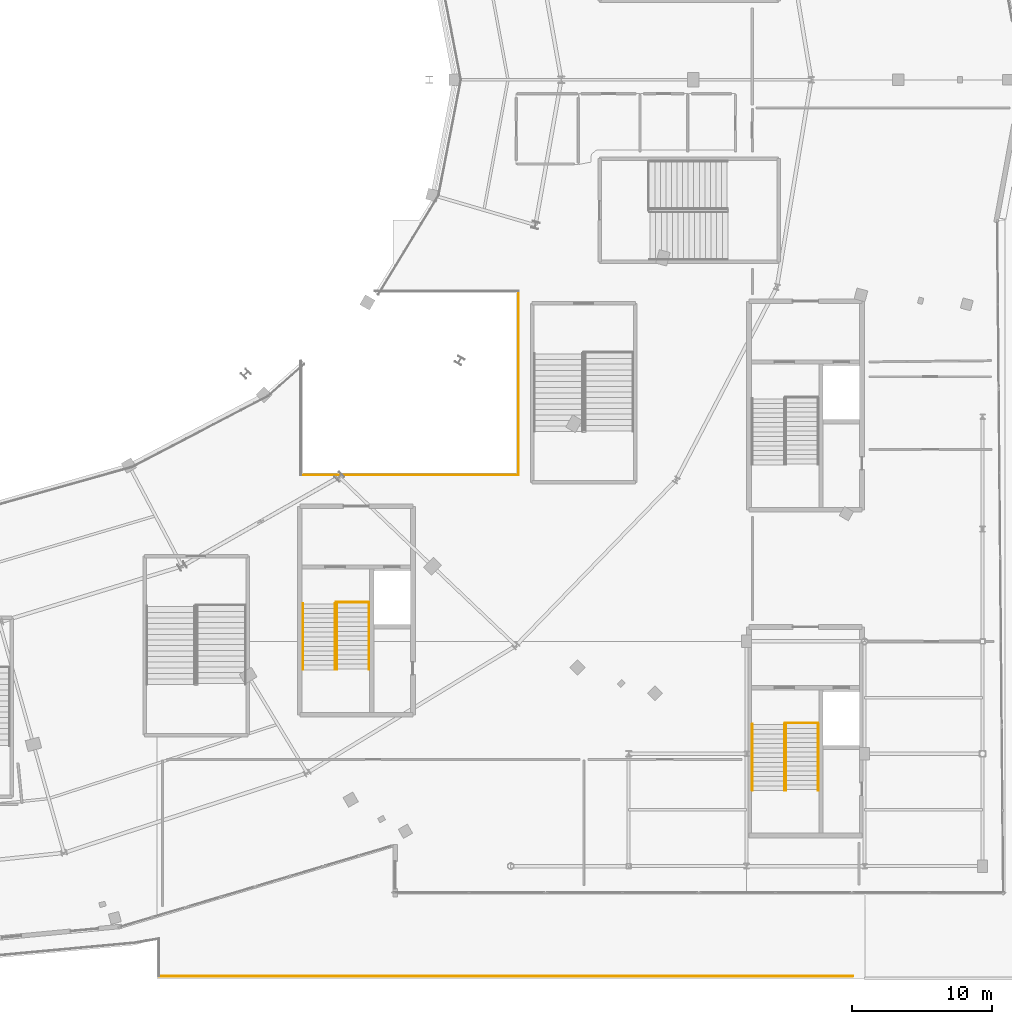
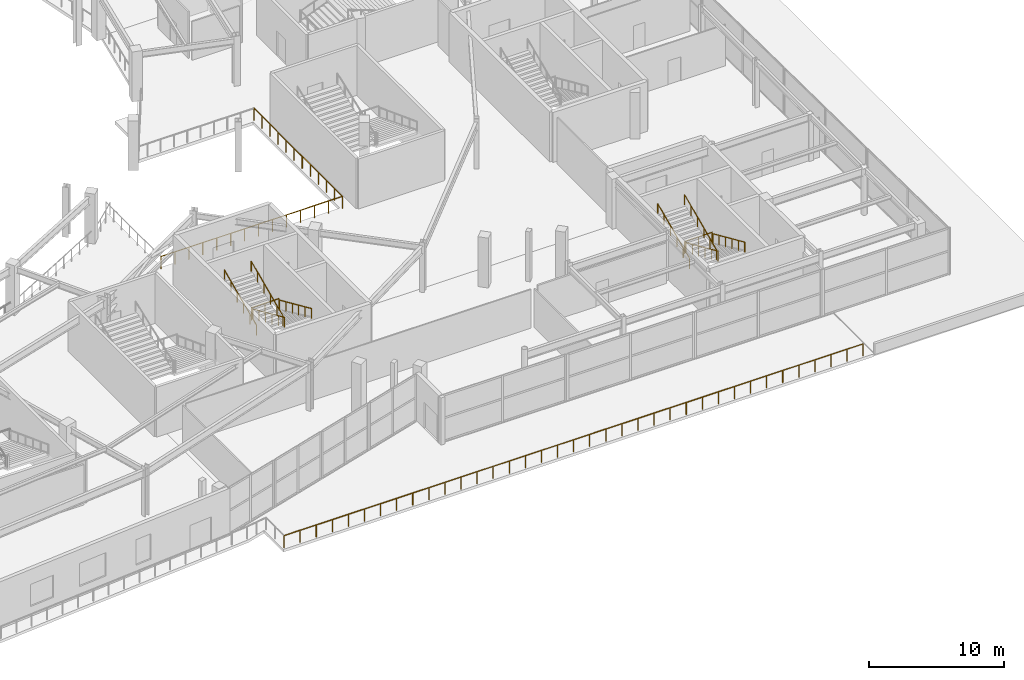
# One storey, part 103 of 107: 13 railings.
"""IFC4 building model written with IfcOpenShell, lengths in metres."""

import ifcopenshell
import ifcopenshell.guid

model = None  # the IFC model being written
_history = None  # IfcOwnerHistory: only IFC2X3 demands one
_inside = {}  # id of a spatial element -> (the spatial element, [elements in it])
_under = {}  # id of a project, library or spatial element -> (it, [spatial elements below it])
_declared = {}  # id of a project -> (the project, [libraries it declares])
_typed = {}  # id of a type object -> (the type object, [elements of that type])
_made_of = {}  # id of a material, layer set ... -> (it, [elements and type objects made of it])


def new_model(schema):
    """Start an empty IFC model of exactly this schema.

    Asked for "IFC4X3", IfcOpenShell would pick the latest addendum, in which some entities
    have other attributes; the version numbers below select the first issue.
    IFC2X3 requires an IfcOwnerHistory on every rooted entity: one is made here for all.
    """
    global model, _history
    if schema == "IFC4X3":
        model = ifcopenshell.file(schema_version=(4, 3, 0, 0))
    else:
        model = ifcopenshell.file(schema=schema)
    _inside.clear()
    _under.clear()
    _declared.clear()
    _typed.clear()
    _made_of.clear()
    _history = None
    if model.schema == "IFC2X3":
        org = make("IfcOrganization", Name="unknown")
        user = make(
            "IfcPersonAndOrganization",
            ThePerson=make("IfcPerson", FamilyName="unknown"),
            TheOrganization=org,
        )
        app = make(
            "IfcApplication",
            ApplicationDeveloper=org,
            Version="unknown",
            ApplicationFullName="unknown",
            ApplicationIdentifier="unknown",
        )
        _history = make(
            "IfcOwnerHistory",
            OwningUser=user,
            OwningApplication=app,
            ChangeAction="ADDED",
            CreationDate=0,
        )
    return model


def make(cls, **values):
    """One entity of the class cls with the attributes given. An attribute that is None is left unset."""
    return model.create_entity(
        cls, **{name: value for name, value in values.items() if value is not None}
    )


def rooted(cls, **values):
    """An entity with a GlobalId (a new one), such as an element, a storey or a relation."""
    return make(cls, GlobalId=ifcopenshell.guid.new(), OwnerHistory=_history, **values)


def si_unit(unit_type, name, prefix=None):
    """IfcSIUnit, for example si_unit("LENGTHUNIT", "METRE", prefix="MILLI")."""
    return make("IfcSIUnit", UnitType=unit_type, Prefix=prefix, Name=name)


def assignment(units):
    """IfcUnitAssignment: the units of a project."""
    return None if units is None else make("IfcUnitAssignment", Units=units)


def point(xyz):
    """IfcCartesianPoint."""
    return None if xyz is None else make("IfcCartesianPoint", Coordinates=xyz)


def direction(xyz):
    """IfcDirection."""
    return None if xyz is None else make("IfcDirection", DirectionRatios=xyz)


def frame(location, z_axis=None, x_axis=None):
    """IfcAxis2Placement3D, a coordinate frame: its origin and axes. An axis left out is left unset."""
    return make(
        "IfcAxis2Placement3D",
        Location=point(location),
        Axis=direction(z_axis),
        RefDirection=direction(x_axis),
    )


def frame_2d(location, x_axis=None):
    """IfcAxis2Placement2D, a coordinate frame in the plane: its origin and x axis."""
    return make(
        "IfcAxis2Placement2D", Location=point(location), RefDirection=direction(x_axis)
    )


def origin():
    """The frame at (0, 0, 0) with its axes left unset."""
    return frame((0.0, 0.0, 0.0))


def origin_2d():
    """The frame at (0, 0) in the plane with its x axis left unset."""
    return frame_2d((0.0, 0.0))


def place(relative_to, where):
    """IfcLocalPlacement: puts the frame where relative to a parent placement (None: the world)."""
    return make(
        "IfcLocalPlacement", PlacementRelTo=relative_to, RelativePlacement=where
    )


def context(
    kind, dimensions, precision=None, world=None, true_north=None, identifier=None
):
    """IfcGeometricRepresentationContext, for example the 3D "Model" context."""
    return make(
        "IfcGeometricRepresentationContext",
        ContextIdentifier=identifier,
        ContextType=kind,
        CoordinateSpaceDimension=dimensions,
        Precision=precision,
        WorldCoordinateSystem=world,
        TrueNorth=true_north,
    )


def subcontext(parent, identifier, kind, view, scale=None):
    """IfcGeometricRepresentationSubContext, for example "Body" below "Model"."""
    return make(
        "IfcGeometricRepresentationSubContext",
        ContextIdentifier=identifier,
        ContextType=kind,
        ParentContext=parent,
        TargetScale=scale,
        TargetView=view,
    )


def project(units=None, contexts=None):
    """IfcProject with its units and contexts."""
    return rooted(
        "IfcProject",
        Name="project",
        RepresentationContexts=contexts,
        UnitsInContext=assignment(units),
    )


def spatial(cls, under=None, at=None, **own):
    """A site, building, storey or space (cls), placed at a placement, below another one or the project."""
    s = rooted(cls, ObjectPlacement=at, **own)
    if under is not None:
        _under.setdefault(under.id(), (under, []))[1].append(s)
    return s


def profile(cls, at=None, kind="AREA", **sizes):
    """A parametric profile (cls). Its sizes go by their IFC names, for example OverallWidth=200.0."""
    return make(cls, ProfileType=kind, Position=at, **sizes)


def circle(**sizes):
    """IfcCircleProfileDef."""
    return profile("IfcCircleProfileDef", **sizes)


def extrude(swept, where, along, depth):
    """IfcExtrudedAreaSolid: the profile swept, set in the frame where, extruded along a direction by depth."""
    return make(
        "IfcExtrudedAreaSolid",
        SweptArea=swept,
        Position=where,
        ExtrudedDirection=direction(along),
        Depth=depth,
    )


def shape(context_of_items, identifier, shape_type, items):
    """IfcShapeRepresentation: the items that make up one representation, for example the "Body"."""
    return make(
        "IfcShapeRepresentation",
        ContextOfItems=context_of_items,
        RepresentationIdentifier=identifier,
        RepresentationType=shape_type,
        Items=items,
    )


def material(Name=None, Category=None):
    """IfcMaterial."""
    return make("IfcMaterial", Name=Name, Category=Category)


def made_of(thing, what):
    """Note that an element or type object is made of a material, layer set ...; save() writes the relation."""
    if what is not None:
        _made_of.setdefault(what.id(), (what, []))[1].append(thing)
    return thing


def type_object(cls, material=None, **own):
    """A type object (cls), such as IfcWallType, which elements share."""
    return made_of(rooted(cls, **own), material)


def element(
    cls,
    number,
    at=None,
    inside=None,
    cuts=None,
    type_object=None,
    material=None,
    context=None,
    identifier="Body",
    shape_type=None,
    held_by="IfcProductDefinitionShape",
    body=None,
    shapes=None,
    **own,
):
    """One element of the class cls, such as IfcWall. Its Tag is "e" and its number.

    at: its placement. inside: the storey or other place that contains it. cuts: it is an
    opening in that element (IfcRelVoidsElement). A single representation is given by context,
    identifier, shape_type and body (its items); several are given by shapes. held_by: the class
    of the entity that holds the representations. save() writes the other relations.
    """
    e = rooted(cls, Tag="e%d" % number, ObjectPlacement=at, **own)
    if body is not None:
        shapes = [shape(context, identifier, shape_type, body)]
    if shapes is not None:
        e.Representation = make(held_by, Representations=shapes)
    if inside is not None:
        _inside.setdefault(inside.id(), (inside, []))[1].append(e)
    if cuts is not None:
        rooted(
            "IfcRelVoidsElement", RelatingBuildingElement=cuts, RelatedOpeningElement=e
        )
    if type_object is not None:
        _typed.setdefault(type_object.id(), (type_object, []))[1].append(e)
    return made_of(e, material)


def aggregate(whole, parts):
    """IfcRelAggregates: a whole, such as a stair, and the parts it consists of."""
    return rooted("IfcRelAggregates", RelatingObject=whole, RelatedObjects=parts)


def save(model, path):
    """Write the relations noted so far, then the file.

    IfcRelAggregates (storeys below a building ...), IfcRelContainedInSpatialStructure (elements
    in a storey), IfcRelDefinesByType, IfcRelAssociatesMaterial and IfcRelDeclares: one each for
    every whole, place, type object, material and project.
    """
    for whole, parts in _under.values():
        aggregate(whole, parts)
    for where, things in _inside.values():
        rooted(
            "IfcRelContainedInSpatialStructure",
            RelatedElements=things,
            RelatingStructure=where,
        )
    for kind, things in _typed.values():
        rooted("IfcRelDefinesByType", RelatedObjects=things, RelatingType=kind)
    for what, things in _made_of.values():
        rooted("IfcRelAssociatesMaterial", RelatedObjects=things, RelatingMaterial=what)
    for by, libraries in _declared.values():
        rooted("IfcRelDeclares", RelatingContext=by, RelatedDefinitions=libraries)
    model.write(path)


model = new_model("IFC4")

# Units and contexts
model_context = context("Model", 3, precision=1e-05, world=origin(), true_north=direction((0.0, 1.0)))
body_context = subcontext(model_context, "Body", "Model", "MODEL_VIEW")
ifc_project = project(units=[si_unit("LENGTHUNIT", "METRE"), si_unit("AREAUNIT", "SQUARE_METRE"), si_unit("VOLUMEUNIT", "CUBIC_METRE"), si_unit("PLANEANGLEUNIT", "RADIAN"), si_unit("MASSUNIT", "GRAM", prefix="KILO")], contexts=[model_context])

# Site, building, storey
site_placement = place(None, origin())
site = spatial("IfcSite", under=ifc_project, at=site_placement, CompositionType="ELEMENT")
building_placement = place(site_placement, origin())
building = spatial("IfcBuilding", under=site, at=building_placement, Name="Kalgoora Escarpment Arena", CompositionType="ELEMENT")
storey_placement = place(building_placement, frame((0.0, 0.0, 5.39990234375)))
storey = spatial("IfcBuildingStorey", under=building, at=storey_placement, Name="L01", CompositionType="ELEMENT", Elevation=5.39990234375)

# Railings
ifc_material_1 = material(Name="Galvanised & powdercoated tubular steel", Category="steel")
railing_type_1 = type_object("IfcRailingType", Name="RAL-GUARD-1120", PredefinedType="GUARDRAIL", material=ifc_material_1)
for number, where, name in (
    (1, (132.68994140625, 26.7900390625, 0.0), "ST06 L01 floor landing well guard"),
    (2, (164.68994140625, 18.18994140625, 0.0), "ST08 L01 floor landing well guard"),
):
    element("IfcRailing", number, at=place(storey_placement, frame(where)), inside=storey, type_object=railing_type_1, Name=name, PredefinedType="GUARDRAIL", context=body_context, shape_type="SweptSolid", body=[
        extrude(circle(Radius=0.02392578125, at=origin_2d()), frame((0.0, 0.0, 1.09619140625), z_axis=(-1.0, 0.0, 0.0), x_axis=(0.0, -1.0, 0.0)), (0.0, 0.0, 1.0), 2.33984375),
        extrude(circle(Radius=0.02099609375, at=origin_2d()), origin(), (0.0, 0.0, 1.0), 1.072021484375),
        extrude(circle(Radius=0.02099609375, at=origin_2d()), frame((-1.169921875, 0.0, 0.0)), (0.0, 0.0, 1.0), 1.072021484375),
        extrude(circle(Radius=0.02099609375, at=origin_2d()), frame((-2.33984375, 0.0, 0.0)), (0.0, 0.0, 1.0), 1.072021484375),
    ])
railing_1_placement = place(storey_placement, frame((127.85009765625, 35.85009765625, 0.0)))
element("IfcRailing", 3, at=railing_1_placement, inside=storey, type_object=railing_type_1, Name="L01 practice court void balustrade S", PredefinedType="GUARDRAIL", context=body_context, shape_type="SweptSolid", body=[
    extrude(circle(Radius=0.02392578125, at=origin_2d()), frame((0.0, 0.0, 1.09619140625), z_axis=(1.0, 0.0, 0.0), x_axis=(0.0, 1.0, 0.0)), (0.0, 0.0, 1.0), 15.5),
    extrude(circle(Radius=0.02099609375, at=origin_2d()), origin(), (0.0, 0.0, 1.0), 1.072021484375),
    extrude(circle(Radius=0.02099609375, at=origin_2d()), frame((1.1923828125, 0.0, 0.0)), (0.0, 0.0, 1.0), 1.072021484375),
    extrude(circle(Radius=0.02099609375, at=origin_2d()), frame((2.384521484375, 0.0, 0.0)), (0.0, 0.0, 1.0), 1.072021484375),
    extrude(circle(Radius=0.02099609375, at=origin_2d()), frame((3.576904296875, 0.0, 0.0)), (0.0, 0.0, 1.0), 1.072021484375),
    extrude(circle(Radius=0.02099609375, at=origin_2d()), frame((4.769287109375, 0.0, 0.0)), (0.0, 0.0, 1.0), 1.072021484375),
    extrude(circle(Radius=0.02099609375, at=origin_2d()), frame((5.96142578125, 0.0, 0.0)), (0.0, 0.0, 1.0), 1.072021484375),
    extrude(circle(Radius=0.02099609375, at=origin_2d()), frame((7.15380859375, 0.0, 0.0)), (0.0, 0.0, 1.0), 1.072021484375),
    extrude(circle(Radius=0.02099609375, at=origin_2d()), frame((8.34619140625, 0.0, 0.0)), (0.0, 0.0, 1.0), 1.072021484375),
    extrude(circle(Radius=0.02099609375, at=origin_2d()), frame((9.53857421875, 0.0, 0.0)), (0.0, 0.0, 1.0), 1.072021484375),
    extrude(circle(Radius=0.02099609375, at=origin_2d()), frame((10.730712890625, 0.0, 0.0)), (0.0, 0.0, 1.0), 1.072021484375),
    extrude(circle(Radius=0.02099609375, at=origin_2d()), frame((11.923095703125, 0.0, 0.0)), (0.0, 0.0, 1.0), 1.072021484375),
    extrude(circle(Radius=0.02099609375, at=origin_2d()), frame((13.115478515625, 0.0, 0.0)), (0.0, 0.0, 1.0), 1.072021484375),
    extrude(circle(Radius=0.02099609375, at=origin_2d()), frame((14.3076171875, 0.0, 0.0)), (0.0, 0.0, 1.0), 1.072021484375),
    extrude(circle(Radius=0.02099609375, at=origin_2d()), frame((15.5, 0.0, 0.0)), (0.0, 0.0, 1.0), 1.072021484375),
])
railing_2_placement = place(storey_placement, frame((143.35009765625, 35.85009765625, 0.0)))
element("IfcRailing", 4, at=railing_2_placement, inside=storey, type_object=railing_type_1, Name="L01 practice court void balustrade E", PredefinedType="GUARDRAIL", context=body_context, shape_type="SweptSolid", body=[
    extrude(circle(Radius=0.02392578125, at=origin_2d()), frame((0.0, 0.0, 1.09619140625), z_axis=(0.0, 1.0, 0.0), x_axis=(-1.0, 0.0, 0.0)), (0.0, 0.0, 1.0), 13.099853515625),
    extrude(circle(Radius=0.02099609375, at=origin_2d()), origin(), (0.0, 0.0, 1.0), 1.072021484375),
    extrude(circle(Radius=0.02099609375, at=origin_2d()), frame((0.0, 1.19091796875, 0.0)), (0.0, 0.0, 1.0), 1.072021484375),
    extrude(circle(Radius=0.02099609375, at=origin_2d()), frame((0.0, 2.3818359375, 0.0)), (0.0, 0.0, 1.0), 1.072021484375),
    extrude(circle(Radius=0.02099609375, at=origin_2d()), frame((0.0, 3.57275390625, 0.0)), (0.0, 0.0, 1.0), 1.072021484375),
    extrude(circle(Radius=0.02099609375, at=origin_2d()), frame((0.0, 4.763671875, 0.0)), (0.0, 0.0, 1.0), 1.072021484375),
    extrude(circle(Radius=0.02099609375, at=origin_2d()), frame((0.0, 5.95458984375, 0.0)), (0.0, 0.0, 1.0), 1.072021484375),
    extrude(circle(Radius=0.02099609375, at=origin_2d()), frame((0.0, 7.145263671875, 0.0)), (0.0, 0.0, 1.0), 1.072021484375),
    extrude(circle(Radius=0.02099609375, at=origin_2d()), frame((0.0, 8.336181640625, 0.0)), (0.0, 0.0, 1.0), 1.072021484375),
    extrude(circle(Radius=0.02099609375, at=origin_2d()), frame((0.0, 9.527099609375, 0.0)), (0.0, 0.0, 1.0), 1.072021484375),
    extrude(circle(Radius=0.02099609375, at=origin_2d()), frame((0.0, 10.718017578125, 0.0)), (0.0, 0.0, 1.0), 1.072021484375),
    extrude(circle(Radius=0.02099609375, at=origin_2d()), frame((0.0, 11.908935546875, 0.0)), (0.0, 0.0, 1.0), 1.072021484375),
    extrude(circle(Radius=0.02099609375, at=origin_2d()), frame((0.0, 13.099853515625, 0.0)), (0.0, 0.0, 1.0), 1.072021484375),
])
ifc_material_2 = material(Name="Brushed stainless steel 316 handrail", Category="steel")
railing_type_2 = type_object("IfcRailingType", Name="RAL-HAND-920", PredefinedType="HANDRAIL", material=ifc_material_2)
for number, where, name in (
    (5, (132.699951171875, 26.7099609375, 0.110107421875), "ST06 L01 pitched stair handrail F1L"),
    (6, (130.4150390625, 26.7099609375, 0.110107421875), "ST06 L01 pitched stair handrail F1R"),
):
    element("IfcRailing", number, at=place(storey_placement, frame(where)), inside=storey, type_object=railing_type_2, Name=name, PredefinedType="HANDRAIL", context=body_context, shape_type="SweptSolid", body=[
        extrude(circle(Radius=0.02392578125, at=origin_2d()), frame((0.0, 0.0, 0.89599609375), z_axis=(0.0, -0.913643874524, 0.406515523129), x_axis=(1.0, 0.0, 0.0)), (0.0, 0.0, 1.0), 5.166015625),
        extrude(circle(Radius=0.02099609375, at=origin_2d()), origin(), (0.0, 0.0, 1.0), 0.871826171875),
        extrude(circle(Radius=0.02099609375, at=origin_2d()), frame((0.0, -0.944091796875, 0.419921875)), (0.0, 0.0, 1.0), 0.871826171875),
        extrude(circle(Radius=0.02099609375, at=origin_2d()), frame((0.0, -1.887939453125, 0.840087890625)), (0.0, 0.0, 1.0), 0.871826171875),
        extrude(circle(Radius=0.02099609375, at=origin_2d()), frame((0.0, -2.83203125, 1.260009765625)), (0.0, 0.0, 1.0), 0.871826171875),
        extrude(circle(Radius=0.02099609375, at=origin_2d()), frame((0.0, -3.77587890625, 1.68017578125)), (0.0, 0.0, 1.0), 0.871826171875),
        extrude(circle(Radius=0.02099609375, at=origin_2d()), frame((0.0, -4.719970703125, 2.10009765625)), (0.0, 0.0, 1.0), 0.871826171875),
    ])
for number, where, name in (
    (7, (130.284912109375, 21.989990234375, 2.360107421875), "ST06 L01 pitched stair handrail F2L"),
    (8, (128.0, 21.989990234375, 2.360107421875), "ST06 L01 pitched stair handrail F2R"),
):
    element("IfcRailing", number, at=place(storey_placement, frame(where)), inside=storey, type_object=railing_type_2, Name=name, PredefinedType="HANDRAIL", context=body_context, shape_type="SweptSolid", body=[
        extrude(circle(Radius=0.02392578125, at=origin_2d()), frame((0.0, 0.0, 0.89599609375), z_axis=(0.0, 0.913643874524, 0.406515523129), x_axis=(-1.0, 0.0, 0.0)), (0.0, 0.0, 1.0), 5.166015625),
        extrude(circle(Radius=0.02099609375, at=origin_2d()), origin(), (0.0, 0.0, 1.0), 0.871826171875),
        extrude(circle(Radius=0.02099609375, at=origin_2d()), frame((0.0, 0.944091796875, 0.419921875)), (0.0, 0.0, 1.0), 0.871826171875),
        extrude(circle(Radius=0.02099609375, at=origin_2d()), frame((0.0, 1.887939453125, 0.840087890625)), (0.0, 0.0, 1.0), 0.871826171875),
        extrude(circle(Radius=0.02099609375, at=origin_2d()), frame((0.0, 2.83203125, 1.260009765625)), (0.0, 0.0, 1.0), 0.871826171875),
        extrude(circle(Radius=0.02099609375, at=origin_2d()), frame((0.0, 3.77587890625, 1.68017578125)), (0.0, 0.0, 1.0), 0.871826171875),
        extrude(circle(Radius=0.02099609375, at=origin_2d()), frame((0.0, 4.719970703125, 2.10009765625)), (0.0, 0.0, 1.0), 0.871826171875),
    ])
for number, where, name in (
    (9, (164.699951171875, 18.110107421875, 0.110107421875), "ST08 L01 pitched stair handrail F1L"),
    (10, (162.405029296875, 18.110107421875, 0.110107421875), "ST08 L01 pitched stair handrail F1R"),
):
    element("IfcRailing", number, at=place(storey_placement, frame(where)), inside=storey, type_object=railing_type_2, Name=name, PredefinedType="HANDRAIL", context=body_context, shape_type="SweptSolid", body=[
        extrude(circle(Radius=0.02392578125, at=origin_2d()), frame((0.0, 0.0, 0.89599609375), z_axis=(0.0, -0.913651683675, 0.406497971603), x_axis=(1.0, 0.0, 0.0)), (0.0, 0.0, 1.0), 5.166259765625),
        extrude(circle(Radius=0.02099609375, at=origin_2d()), origin(), (0.0, 0.0, 1.0), 0.871826171875),
        extrude(circle(Radius=0.02099609375, at=origin_2d()), frame((0.0, -0.944091796875, 0.419921875)), (0.0, 0.0, 1.0), 0.871826171875),
        extrude(circle(Radius=0.02099609375, at=origin_2d()), frame((0.0, -1.88818359375, 0.840087890625)), (0.0, 0.0, 1.0), 0.871826171875),
        extrude(circle(Radius=0.02099609375, at=origin_2d()), frame((0.0, -2.83203125, 1.260009765625)), (0.0, 0.0, 1.0), 0.871826171875),
        extrude(circle(Radius=0.02099609375, at=origin_2d()), frame((0.0, -3.776123046875, 1.68017578125)), (0.0, 0.0, 1.0), 0.871826171875),
        extrude(circle(Radius=0.02099609375, at=origin_2d()), frame((0.0, -4.72021484375, 2.10009765625)), (0.0, 0.0, 1.0), 0.871826171875),
    ])
for number, where, name in (
    (11, (162.294921875, 13.389892578125, 2.360107421875), "ST08 L01 pitched stair handrail F2L"),
    (12, (160.0, 13.389892578125, 2.360107421875), "ST08 L01 pitched stair handrail F2R"),
):
    element("IfcRailing", number, at=place(storey_placement, frame(where)), inside=storey, type_object=railing_type_2, Name=name, PredefinedType="HANDRAIL", context=body_context, shape_type="SweptSolid", body=[
        extrude(circle(Radius=0.02392578125, at=origin_2d()), frame((0.0, 0.0, 0.89599609375), z_axis=(0.0, 0.913651683675, 0.406497971603), x_axis=(-1.0, 0.0, 0.0)), (0.0, 0.0, 1.0), 5.166259765625),
        extrude(circle(Radius=0.02099609375, at=origin_2d()), origin(), (0.0, 0.0, 1.0), 0.871826171875),
        extrude(circle(Radius=0.02099609375, at=origin_2d()), frame((0.0, 0.944091796875, 0.419921875)), (0.0, 0.0, 1.0), 0.871826171875),
        extrude(circle(Radius=0.02099609375, at=origin_2d()), frame((0.0, 1.88818359375, 0.840087890625)), (0.0, 0.0, 1.0), 0.871826171875),
        extrude(circle(Radius=0.02099609375, at=origin_2d()), frame((0.0, 2.83203125, 1.260009765625)), (0.0, 0.0, 1.0), 0.871826171875),
        extrude(circle(Radius=0.02099609375, at=origin_2d()), frame((0.0, 3.776123046875, 1.68017578125)), (0.0, 0.0, 1.0), 0.871826171875),
        extrude(circle(Radius=0.02099609375, at=origin_2d()), frame((0.0, 4.72021484375, 2.10009765625)), (0.0, 0.0, 1.0), 0.871826171875),
    ])
ifc_material_3 = material(Name="Champagne anodised aluminium & laminated glass", Category="aluminium")
railing_type_3 = type_object("IfcRailingType", Name="RAL-TERR-1100", PredefinedType="GUARDRAIL", material=ifc_material_3)
railing_3_placement = place(storey_placement, frame((167.16259765625, 0.159912109375, 0.0)))
element("IfcRailing", 13, at=railing_3_placement, inside=storey, type_object=railing_type_3, Name="Lower Planted Elliptical Garden Promenade perimeter guardrail 006", PredefinedType="GUARDRAIL", context=body_context, shape_type="SweptSolid", body=[
    extrude(circle(Radius=0.02392578125, at=origin_2d()), frame((0.0, 0.0, 1.09619140625), z_axis=(-1.0, 0.0, 0.0), x_axis=(0.0, -1.0, 0.0)), (0.0, 0.0, 1.0), 49.402587890625),
    extrude(circle(Radius=0.02099609375, at=origin_2d()), origin(), (0.0, 0.0, 1.0), 1.072021484375),
    extrude(circle(Radius=0.02099609375, at=origin_2d()), frame((-1.372314453125, 0.0, 0.0)), (0.0, 0.0, 1.0), 1.072021484375),
    extrude(circle(Radius=0.02099609375, at=origin_2d()), frame((-2.74462890625, 0.0, 0.0)), (0.0, 0.0, 1.0), 1.072021484375),
    extrude(circle(Radius=0.02099609375, at=origin_2d()), frame((-4.116943359375, 0.0, 0.0)), (0.0, 0.0, 1.0), 1.072021484375),
    extrude(circle(Radius=0.02099609375, at=origin_2d()), frame((-5.4892578125, 0.0, 0.0)), (0.0, 0.0, 1.0), 1.072021484375),
    extrude(circle(Radius=0.02099609375, at=origin_2d()), frame((-6.861572265625, 0.0, 0.0)), (0.0, 0.0, 1.0), 1.072021484375),
    extrude(circle(Radius=0.02099609375, at=origin_2d()), frame((-8.23388671875, 0.0, 0.0)), (0.0, 0.0, 1.0), 1.072021484375),
    extrude(circle(Radius=0.02099609375, at=origin_2d()), frame((-9.60595703125, 0.0, 0.0)), (0.0, 0.0, 1.0), 1.072021484375),
    extrude(circle(Radius=0.02099609375, at=origin_2d()), frame((-10.978271484375, 0.0, 0.0)), (0.0, 0.0, 1.0), 1.072021484375),
    extrude(circle(Radius=0.02099609375, at=origin_2d()), frame((-12.3505859375, 0.0, 0.0)), (0.0, 0.0, 1.0), 1.072021484375),
    extrude(circle(Radius=0.02099609375, at=origin_2d()), frame((-13.722900390625, 0.0, 0.0)), (0.0, 0.0, 1.0), 1.072021484375),
    extrude(circle(Radius=0.02099609375, at=origin_2d()), frame((-15.09521484375, 0.0, 0.0)), (0.0, 0.0, 1.0), 1.072021484375),
    extrude(circle(Radius=0.02099609375, at=origin_2d()), frame((-16.467529296875, 0.0, 0.0)), (0.0, 0.0, 1.0), 1.072021484375),
    extrude(circle(Radius=0.02099609375, at=origin_2d()), frame((-17.83984375, 0.0, 0.0)), (0.0, 0.0, 1.0), 1.072021484375),
    extrude(circle(Radius=0.02099609375, at=origin_2d()), frame((-19.212158203125, 0.0, 0.0)), (0.0, 0.0, 1.0), 1.072021484375),
    extrude(circle(Radius=0.02099609375, at=origin_2d()), frame((-20.58447265625, 0.0, 0.0)), (0.0, 0.0, 1.0), 1.072021484375),
    extrude(circle(Radius=0.02099609375, at=origin_2d()), frame((-21.956787109375, 0.0, 0.0)), (0.0, 0.0, 1.0), 1.072021484375),
    extrude(circle(Radius=0.02099609375, at=origin_2d()), frame((-23.3291015625, 0.0, 0.0)), (0.0, 0.0, 1.0), 1.072021484375),
    extrude(circle(Radius=0.02099609375, at=origin_2d()), frame((-24.701171875, 0.0, 0.0)), (0.0, 0.0, 1.0), 1.072021484375),
    extrude(circle(Radius=0.02099609375, at=origin_2d()), frame((-26.073486328125, 0.0, 0.0)), (0.0, 0.0, 1.0), 1.072021484375),
    extrude(circle(Radius=0.02099609375, at=origin_2d()), frame((-27.44580078125, 0.0, 0.0)), (0.0, 0.0, 1.0), 1.072021484375),
    extrude(circle(Radius=0.02099609375, at=origin_2d()), frame((-28.818115234375, 0.0, 0.0)), (0.0, 0.0, 1.0), 1.072021484375),
    extrude(circle(Radius=0.02099609375, at=origin_2d()), frame((-30.1904296875, 0.0, 0.0)), (0.0, 0.0, 1.0), 1.072021484375),
    extrude(circle(Radius=0.02099609375, at=origin_2d()), frame((-31.562744140625, 0.0, 0.0)), (0.0, 0.0, 1.0), 1.072021484375),
    extrude(circle(Radius=0.02099609375, at=origin_2d()), frame((-32.93505859375, 0.0, 0.0)), (0.0, 0.0, 1.0), 1.072021484375),
    extrude(circle(Radius=0.02099609375, at=origin_2d()), frame((-34.307373046875, 0.0, 0.0)), (0.0, 0.0, 1.0), 1.072021484375),
    extrude(circle(Radius=0.02099609375, at=origin_2d()), frame((-35.6796875, 0.0, 0.0)), (0.0, 0.0, 1.0), 1.072021484375),
    extrude(circle(Radius=0.02099609375, at=origin_2d()), frame((-37.052001953125, 0.0, 0.0)), (0.0, 0.0, 1.0), 1.072021484375),
    extrude(circle(Radius=0.02099609375, at=origin_2d()), frame((-38.42431640625, 0.0, 0.0)), (0.0, 0.0, 1.0), 1.072021484375),
    extrude(circle(Radius=0.02099609375, at=origin_2d()), frame((-39.796630859375, 0.0, 0.0)), (0.0, 0.0, 1.0), 1.072021484375),
    extrude(circle(Radius=0.02099609375, at=origin_2d()), frame((-41.1689453125, 0.0, 0.0)), (0.0, 0.0, 1.0), 1.072021484375),
    extrude(circle(Radius=0.02099609375, at=origin_2d()), frame((-42.541015625, 0.0, 0.0)), (0.0, 0.0, 1.0), 1.072021484375),
    extrude(circle(Radius=0.02099609375, at=origin_2d()), frame((-43.913330078125, 0.0, 0.0)), (0.0, 0.0, 1.0), 1.072021484375),
    extrude(circle(Radius=0.02099609375, at=origin_2d()), frame((-45.28564453125, 0.0, 0.0)), (0.0, 0.0, 1.0), 1.072021484375),
    extrude(circle(Radius=0.02099609375, at=origin_2d()), frame((-46.657958984375, 0.0, 0.0)), (0.0, 0.0, 1.0), 1.072021484375),
    extrude(circle(Radius=0.02099609375, at=origin_2d()), frame((-48.0302734375, 0.0, 0.0)), (0.0, 0.0, 1.0), 1.072021484375),
    extrude(circle(Radius=0.02099609375, at=origin_2d()), frame((-49.402587890625, 0.0, 0.0)), (0.0, 0.0, 1.0), 1.072021484375),
])

save(model, "model.ifc")
